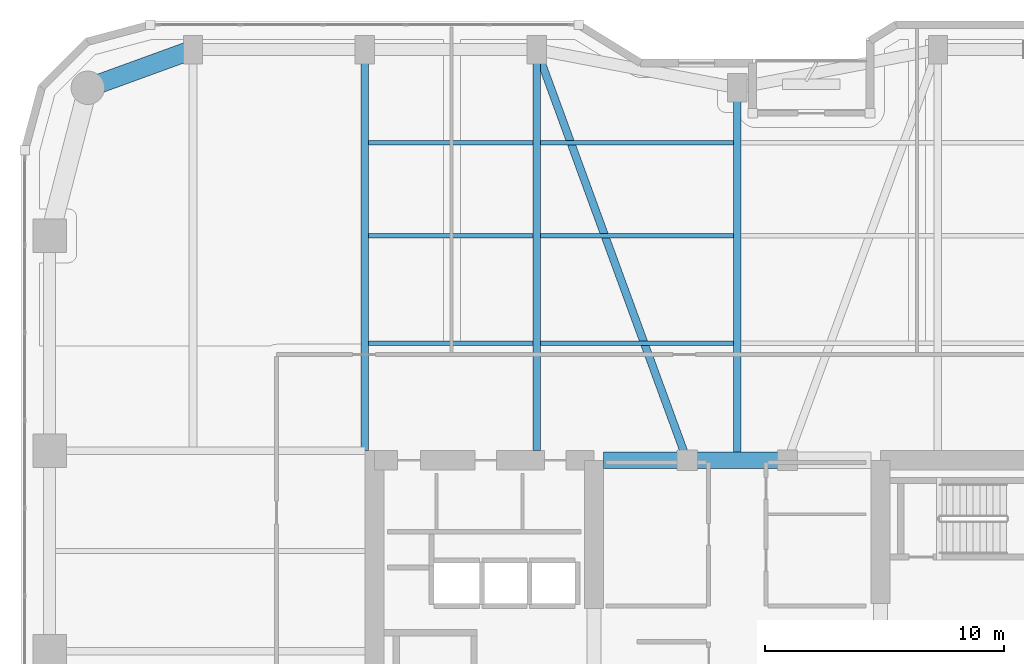
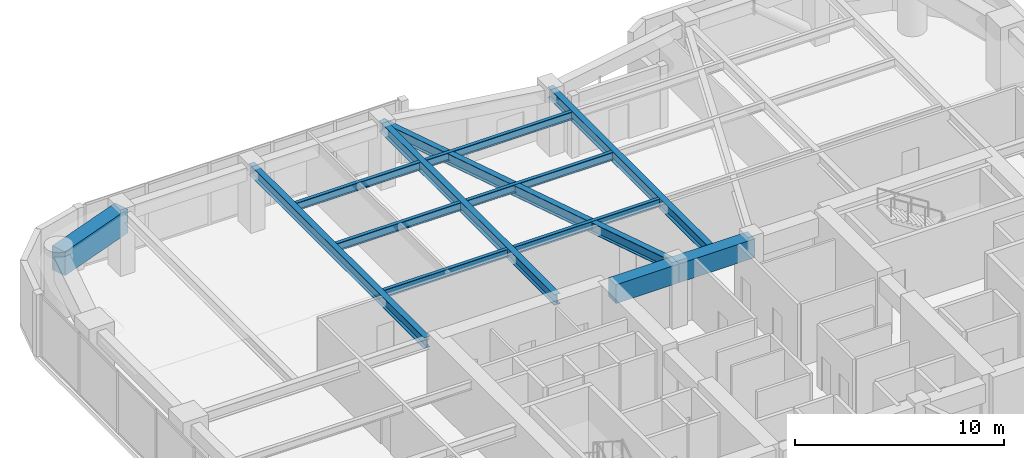
# One storey, part 12 of 24: 13 beams.
"""IFC4 building model written with IfcOpenShell, lengths in metres."""

from ifc_helpers import new_model, si_unit, direction, frame, origin, origin_2d, place, context, subcontext, project, spatial, rectangle, i_section, extrude, material, material_profile, profile_set, type_object, element, save


model = new_model("IFC4")

# Units and contexts
model_context = context("Model", 3, precision=1e-05, world=origin(), true_north=direction((0.0, 1.0)))
body_context = subcontext(model_context, "Body", "Model", "MODEL_VIEW")
ifc_project = project(units=[si_unit("LENGTHUNIT", "METRE"), si_unit("AREAUNIT", "SQUARE_METRE"), si_unit("VOLUMEUNIT", "CUBIC_METRE"), si_unit("PLANEANGLEUNIT", "RADIAN"), si_unit("MASSUNIT", "GRAM", prefix="KILO")], contexts=[model_context])

# Site, building, storey
site_placement = place(None, origin())
site = spatial("IfcSite", under=ifc_project, at=site_placement, CompositionType="ELEMENT")
building_placement = place(site_placement, origin())
building = spatial("IfcBuilding", under=site, at=building_placement, Name="Kiyonajd Concourse Tower", CompositionType="ELEMENT")
storey_placement = place(building_placement, frame((0.0, 0.0, 113.10009765625)))
storey = spatial("IfcBuildingStorey", under=building, at=storey_placement, Name="L29", CompositionType="ELEMENT", Elevation=113.10009765625)

# Beams
ifc_material_1 = material(Name="Concrete C70/85", Category="concrete")
ifc_material_profile_1 = material_profile(ifc_material_1, rectangle(XDim=0.699951171875, YDim=1.10009765625, at=origin_2d()), Name="RCBM-700x1100")
ifc_profile_set_1 = profile_set([ifc_material_profile_1], Name="Concrete C70/85")
beam_type_1 = type_object("IfcBeamType", Name="BM-COUP-1100", PredefinedType="LINTEL", material=ifc_profile_set_1)
beam_1_placement = place(storey_placement, frame((42.39990234375, 44.0, 3.08984375), z_axis=(1.0, 0.0, 0.0), x_axis=(0.0, 1.0, 0.0)))
element("IfcBeam", 1, at=beam_1_placement, inside=storey, type_object=beam_type_1, Name="L29 Core Coupling Beam N1", PredefinedType="LINTEL", context=body_context, shape_type="SweptSolid", body=[
    extrude(rectangle(XDim=0.699951171875, YDim=1.10009765625, at=origin_2d()), origin(), (0.0, 0.0, 1.0), 3.5),
])
beam_2_placement = place(storey_placement, frame((45.89990234375, 44.0, 3.08984375), z_axis=(1.0, 0.0, 0.0), x_axis=(0.0, 1.0, 0.0)))
element("IfcBeam", 2, at=beam_2_placement, inside=storey, type_object=beam_type_1, Name="L29 Core Coupling Beam N2", PredefinedType="LINTEL", context=body_context, shape_type="SweptSolid", body=[
    extrude(rectangle(XDim=0.699951171875, YDim=1.10009765625, at=origin_2d()), origin(), (0.0, 0.0, 1.0), 4.2001953125),
])
ifc_material_2 = material(Name="Steel ASTM A992 Grade 50", Category="steel")
ifc_material_profile_2 = material_profile(ifc_material_2, i_section(OverallWidth=0.19189453125, OverallDepth=0.462890625, WebThickness=0.010498046875, FlangeThickness=0.017578125, at=origin_2d()), Name="W460X89")
ifc_profile_set_2 = profile_set([ifc_material_profile_2], Name="Steel ASTM A992 Grade 50")
beam_type_2 = type_object("IfcBeamType", Name="BM-JST-460B", PredefinedType="JOIST", material=ifc_profile_set_2)
beam_3_placement = place(storey_placement, frame((32.5634765625, 48.89990234375, 3.408447265625), z_axis=(1.0, 0.0, 0.0), x_axis=(0.0, 1.0, 0.0)))
element("IfcBeam", 3, at=beam_3_placement, inside=storey, type_object=beam_type_2, Name="L29 Secondary Floor Joist", PredefinedType="JOIST", context=body_context, shape_type="SweptSolid", body=[
    extrude(i_section(OverallWidth=0.19189453125, OverallDepth=0.462890625, WebThickness=0.010498046875, FlangeThickness=0.017578125, at=origin_2d()), origin(), (0.0, 0.0, 1.0), 6.873046875),
])
beam_4_placement = place(storey_placement, frame((39.763427734375, 48.89990234375, 3.408447265625), z_axis=(1.0, 0.0, 0.0), x_axis=(0.0, 1.0, 0.0)))
element("IfcBeam", 4, at=beam_4_placement, inside=storey, type_object=beam_type_2, Name="L29 Secondary Floor Joist", PredefinedType="JOIST", context=body_context, shape_type="SweptSolid", body=[
    extrude(i_section(OverallWidth=0.19189453125, OverallDepth=0.462890625, WebThickness=0.010498046875, FlangeThickness=0.017578125, at=origin_2d()), origin(), (0.0, 0.0, 1.0), 8.072998046875),
])
beam_5_placement = place(storey_placement, frame((32.5634765625, 53.39990234375, 3.408447265625), z_axis=(1.0, 0.0, 0.0), x_axis=(0.0, 1.0, 0.0)))
element("IfcBeam", 5, at=beam_5_placement, inside=storey, type_object=beam_type_2, Name="L29 Secondary Floor Joist", PredefinedType="JOIST", context=body_context, shape_type="SweptSolid", body=[
    extrude(i_section(OverallWidth=0.19189453125, OverallDepth=0.462890625, WebThickness=0.010498046875, FlangeThickness=0.017578125, at=origin_2d()), origin(), (0.0, 0.0, 1.0), 6.873046875),
])
beam_6_placement = place(storey_placement, frame((39.763427734375, 53.39990234375, 3.408447265625), z_axis=(1.0, 0.0, 0.0), x_axis=(0.0, 1.0, 0.0)))
element("IfcBeam", 6, at=beam_6_placement, inside=storey, type_object=beam_type_2, Name="L29 Secondary Floor Joist", PredefinedType="JOIST", context=body_context, shape_type="SweptSolid", body=[
    extrude(i_section(OverallWidth=0.19189453125, OverallDepth=0.462890625, WebThickness=0.010498046875, FlangeThickness=0.017578125, at=origin_2d()), origin(), (0.0, 0.0, 1.0), 8.072998046875),
])
beam_7_placement = place(storey_placement, frame((32.5634765625, 57.300048828125, 3.408447265625), z_axis=(1.0, 0.0, 0.0), x_axis=(0.0, 1.0, 0.0)))
element("IfcBeam", 7, at=beam_7_placement, inside=storey, type_object=beam_type_2, Name="L29 Secondary Floor Joist", PredefinedType="JOIST", context=body_context, shape_type="SweptSolid", body=[
    extrude(i_section(OverallWidth=0.19189453125, OverallDepth=0.462890625, WebThickness=0.010498046875, FlangeThickness=0.017578125, at=origin_2d()), origin(), (0.0, 0.0, 1.0), 6.873046875),
])
beam_8_placement = place(storey_placement, frame((39.763427734375, 57.300048828125, 3.408447265625), z_axis=(1.0, 0.0, 0.0), x_axis=(0.0, 1.0, 0.0)))
element("IfcBeam", 8, at=beam_8_placement, inside=storey, type_object=beam_type_2, Name="L29 Secondary Floor Joist", PredefinedType="JOIST", context=body_context, shape_type="SweptSolid", body=[
    extrude(i_section(OverallWidth=0.19189453125, OverallDepth=0.462890625, WebThickness=0.010498046875, FlangeThickness=0.017578125, at=origin_2d()), origin(), (0.0, 0.0, 1.0), 8.072998046875),
])
ifc_material_profile_3 = material_profile(ifc_material_2, i_section(OverallWidth=0.326904296875, OverallDepth=0.6220703125, WebThickness=0.015380859375, FlangeThickness=0.0244140625, at=origin_2d()), Name="W610X195")
ifc_profile_set_3 = profile_set([ifc_material_profile_3], Name="Steel ASTM A992 Grade 50")
beam_type_3 = type_object("IfcBeamType", Name="BM-TWR-610A", PredefinedType="BEAM", material=ifc_profile_set_3)
beam_9_placement = place(storey_placement, frame((39.60009765625, 61.199951171875, 3.328857421875), z_axis=(0.343925269715, -0.938997022813, 0.0), x_axis=(0.938997022813, 0.343925269715, 0.0)))
element("IfcBeam", 9, at=beam_9_placement, inside=storey, type_object=beam_type_3, Name="L29 Core Tie Girder", PredefinedType="BEAM", context=body_context, shape_type="SweptSolid", body=[
    extrude(i_section(OverallWidth=0.326904296875, OverallDepth=0.6220703125, WebThickness=0.015380859375, FlangeThickness=0.0244140625, at=origin_2d()), origin(), (0.0, 0.0, 1.0), 18.3173828125),
])
for number, where, z_axis, x_axis, name in (
    (10, (32.39990234375, 44.39990234375, 3.328857421875), (0.0, 1.0, 0.0), (-1.0, 0.0, 0.0), "L29 North Lease Girder"),
    (11, (39.60009765625, 44.39990234375, 3.328857421875), (0.0, 1.0, 0.0), (-1.0, 0.0, 0.0), "L29 North Lease Girder"),
):
    element("IfcBeam", number, at=place(storey_placement, frame(where, z_axis=z_axis, x_axis=x_axis)), inside=storey, type_object=beam_type_3, Name=name, PredefinedType="BEAM", context=body_context, shape_type="SweptSolid", body=[
        extrude(i_section(OverallWidth=0.326904296875, OverallDepth=0.6220703125, WebThickness=0.015380859375, FlangeThickness=0.0244140625, at=origin_2d()), origin(), (0.0, 0.0, 1.0), 16.800048828125),
    ])
beam_10_placement = place(storey_placement, frame((48.0, 44.0, 3.328857421875), z_axis=(0.0, 1.0, 0.0), x_axis=(-1.0, 0.0, 0.0)))
element("IfcBeam", 12, at=beam_10_placement, inside=storey, type_object=beam_type_3, Name="L29 North Ribbon Girder", PredefinedType="BEAM", context=body_context, shape_type="SweptSolid", body=[
    extrude(i_section(OverallWidth=0.326904296875, OverallDepth=0.6220703125, WebThickness=0.015380859375, FlangeThickness=0.0244140625, at=origin_2d()), origin(), (0.0, 0.0, 1.0), 15.60009765625),
])
ifc_material_3 = material(Name="Concrete C60/75", Category="concrete")
ifc_material_profile_4 = material_profile(ifc_material_3, rectangle(XDim=0.800048828125, YDim=1.39990234375, at=origin_2d()), Name="RCBM-800x1400")
ifc_profile_set_4 = profile_set([ifc_material_profile_4], Name="Concrete C60/75")
beam_type_4 = type_object("IfcBeamType", Name="BM-XFER-RC", PredefinedType="BEAM", material=ifc_profile_set_4)
beam_11_placement = place(storey_placement, frame((25.199951171875, 61.199951171875, 2.93994140625), z_axis=(-0.939801036019, -0.341722127901, 0.0), x_axis=(0.341722127901, -0.939801036019, 0.0)))
element("IfcBeam", 13, at=beam_11_placement, inside=storey, type_object=beam_type_4, Name="L29 Perimeter Bundled Tube Spandrel", PredefinedType="BEAM", context=body_context, shape_type="SweptSolid", body=[
    extrude(rectangle(XDim=0.800048828125, YDim=1.39990234375, at=origin_2d()), origin(), (0.0, 0.0, 1.0), 4.681640625),
])

save(model, "model.ifc")
